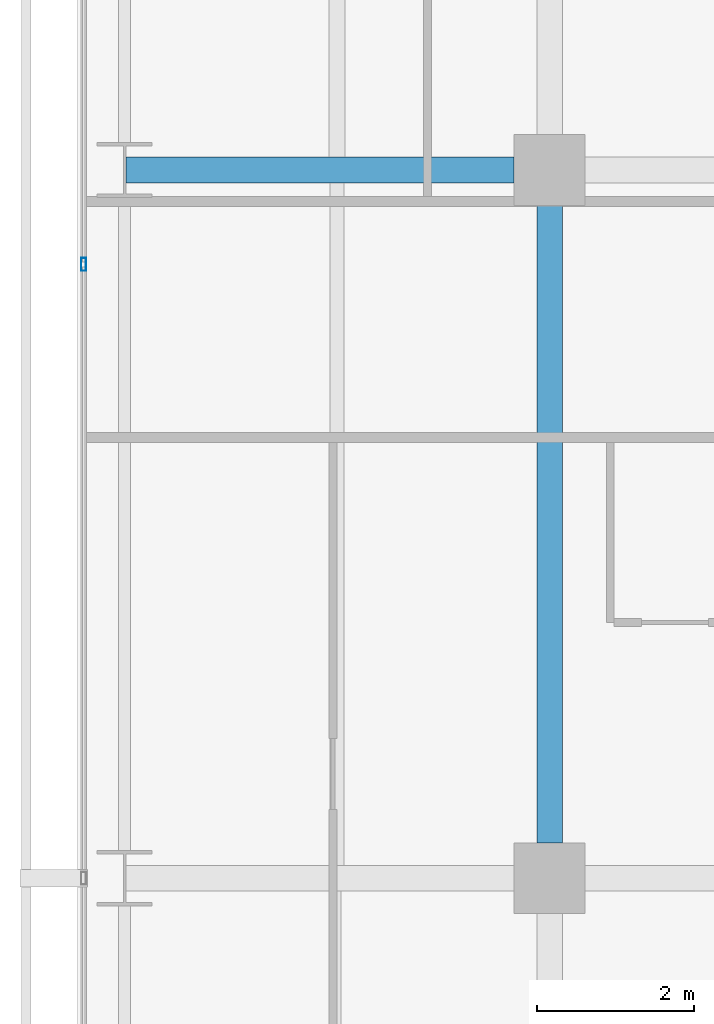
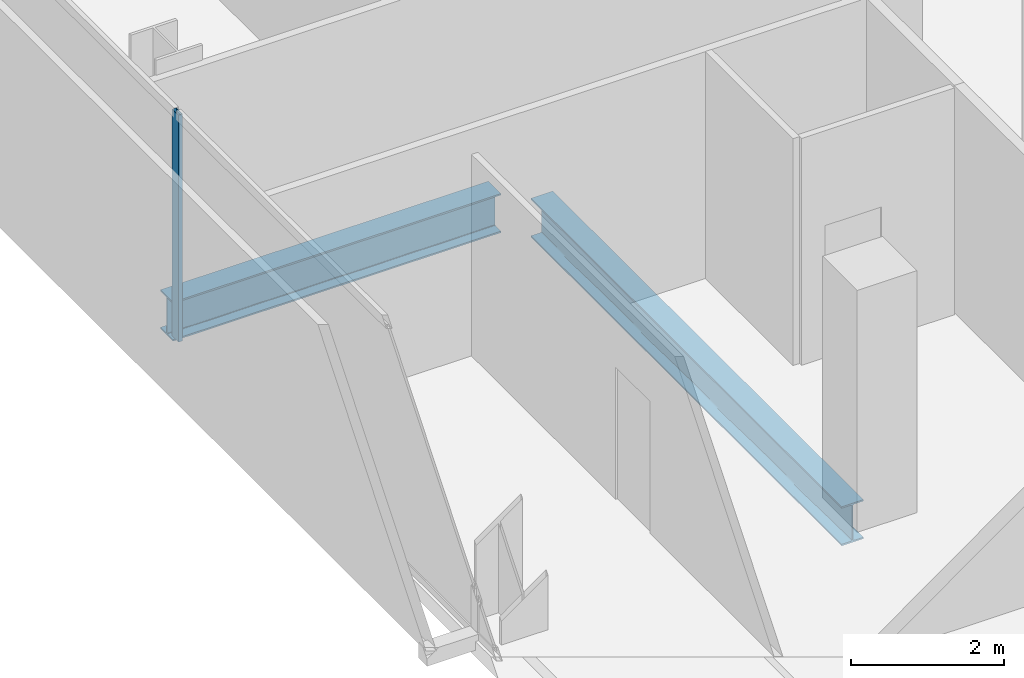
# One storey, part 21 of 40: 2 beams, 1 member, 1 element without a shape of its own.
"""IFC4 building model written with IfcOpenShell, lengths in metres."""

from ifc_helpers import new_model, si_unit, direction, frame, origin, origin_2d, place, context, subcontext, project, spatial, hollow_rectangle, i_section, extrude, material, layer, layer_set, material_profile, profile_set, type_object, element, aggregate, save


model = new_model("IFC4")

# Units and contexts
model_context = context("Model", 3, precision=1e-05, world=origin(), true_north=direction((0.0, 1.0)))
body_context = subcontext(model_context, "Body", "Model", "MODEL_VIEW")
ifc_project = project(units=[si_unit("LENGTHUNIT", "METRE"), si_unit("AREAUNIT", "SQUARE_METRE"), si_unit("VOLUMEUNIT", "CUBIC_METRE"), si_unit("PLANEANGLEUNIT", "RADIAN"), si_unit("MASSUNIT", "GRAM", prefix="KILO")], contexts=[model_context])

# Site, building, storey
site_placement = place(None, origin())
site = spatial("IfcSite", under=ifc_project, at=site_placement, CompositionType="ELEMENT")
building_placement = place(site_placement, origin())
building = spatial("IfcBuilding", under=site, at=building_placement, Name="Maruvema Waterfront Hotel and Observation Tower", CompositionType="ELEMENT")
storey_placement = place(building_placement, frame((0.0, 0.0, 73.14990234375)))
storey = spatial("IfcBuildingStorey", under=building, at=storey_placement, Name="L17", CompositionType="ELEMENT", Elevation=73.14990234375)

# Curtain wall, member
ifc_material_1 = material(Name="Anodised bronze aluminium and solar-control low-E IGU", Category="aluminium")
ifc_layer = layer(ifc_material_1, 0.159912109375, Name="Zone 1 Bronze Inner Thermal Curtain Wall System CW-02")
ifc_layer_set = layer_set([ifc_layer], Name="Anodised bronze aluminium and solar-control low-E IGU")
curtain_wall_type = type_object("IfcCurtainWallType", Name="Zone 1 Bronze Inner Thermal Curtain Wall System CW-02", PredefinedType="USERDEFINED", material=ifc_layer_set)
curtain_wall_placement = place(storey_placement, origin())
curtain_wall = element("IfcCurtainWall", 1, at=curtain_wall_placement, inside=storey, type_object=curtain_wall_type, Name="L17 Curtain Wall CW-L17-W", ObjectType="UNITISED CURTAIN WALL", PredefinedType="USERDEFINED")
ifc_material_2 = material(Name="Anodised architectural bronze aluminium", Category="aluminium")
ifc_material_profile_1 = material_profile(ifc_material_2, hollow_rectangle(XDim=0.06494140625, YDim=0.1650390625, WallThickness=0.00390625, at=origin_2d()), Name="ALU-M65x165")
ifc_profile_set_1 = profile_set([ifc_material_profile_1], Name="Anodised architectural bronze aluminium")
member_type = type_object("IfcMemberType", Name="Curtain Wall Primary Mullion ALU-M65x165", PredefinedType="MULLION", material=ifc_profile_set_1)
member_placement = place(storey_placement, frame((10.8798828125, 34.800048828125, 0.0), z_axis=(0.0, 0.0, 1.0), x_axis=(1.0, 0.0, 0.0)))
member = element("IfcMember", 2, at=member_placement, type_object=member_type, Name="CW-02 mullion 3", PredefinedType="MULLION", context=body_context, shape_type="SweptSolid", body=[
    extrude(hollow_rectangle(XDim=0.06494140625, YDim=0.1650390625, WallThickness=0.00390625, at=origin_2d()), origin(), (0.0, 0.0, 1.0), 3.610107421875),
])
aggregate(curtain_wall, [member])

# Beams
ifc_material_3 = material(Name="Steel ASTM A572 Grade 50", Category="steel")
ifc_material_profile_2 = material_profile(ifc_material_3, i_section(OverallWidth=0.326904296875, OverallDepth=0.6220703125, WebThickness=0.015380859375, FlangeThickness=0.0244140625, FilletRadius=0.01806640625, at=origin_2d()), Name="W610x195.0")
ifc_profile_set_2 = profile_set([ifc_material_profile_2], Name="Steel ASTM A572 Grade 50")
beam_type = type_object("IfcBeamType", Name="Primary Floor Girder W610x195.0", PredefinedType="BEAM", material=ifc_profile_set_2)
beam_1_placement = place(storey_placement, frame((11.4140625, 36.0, -0.55078125), z_axis=(1.0, 0.0, 0.0), x_axis=(0.0, 1.0, 0.0)))
element("IfcBeam", 3, at=beam_1_placement, inside=storey, type_object=beam_type, Name="L17 Floor Girder EW-25", PredefinedType="BEAM", context=body_context, shape_type="SweptSolid", body=[
    extrude(i_section(OverallWidth=0.326904296875, OverallDepth=0.6220703125, WebThickness=0.015380859375, FlangeThickness=0.0244140625, FilletRadius=0.01806640625, at=origin_2d()), origin(), (0.0, 0.0, 1.0), 4.93603515625),
])
beam_2_placement = place(storey_placement, frame((16.800048828125, 27.449951171875, -0.55078125), z_axis=(0.0, 1.0, 0.0), x_axis=(-1.0, 0.0, 0.0)))
element("IfcBeam", 4, at=beam_2_placement, inside=storey, type_object=beam_type, Name="L17 Floor Girder NS-08", PredefinedType="BEAM", context=body_context, shape_type="SweptSolid", body=[
    extrude(i_section(OverallWidth=0.326904296875, OverallDepth=0.6220703125, WebThickness=0.015380859375, FlangeThickness=0.0244140625, FilletRadius=0.01806640625, at=origin_2d()), origin(), (0.0, 0.0, 1.0), 8.10009765625),
])

save(model, "model.ifc")
